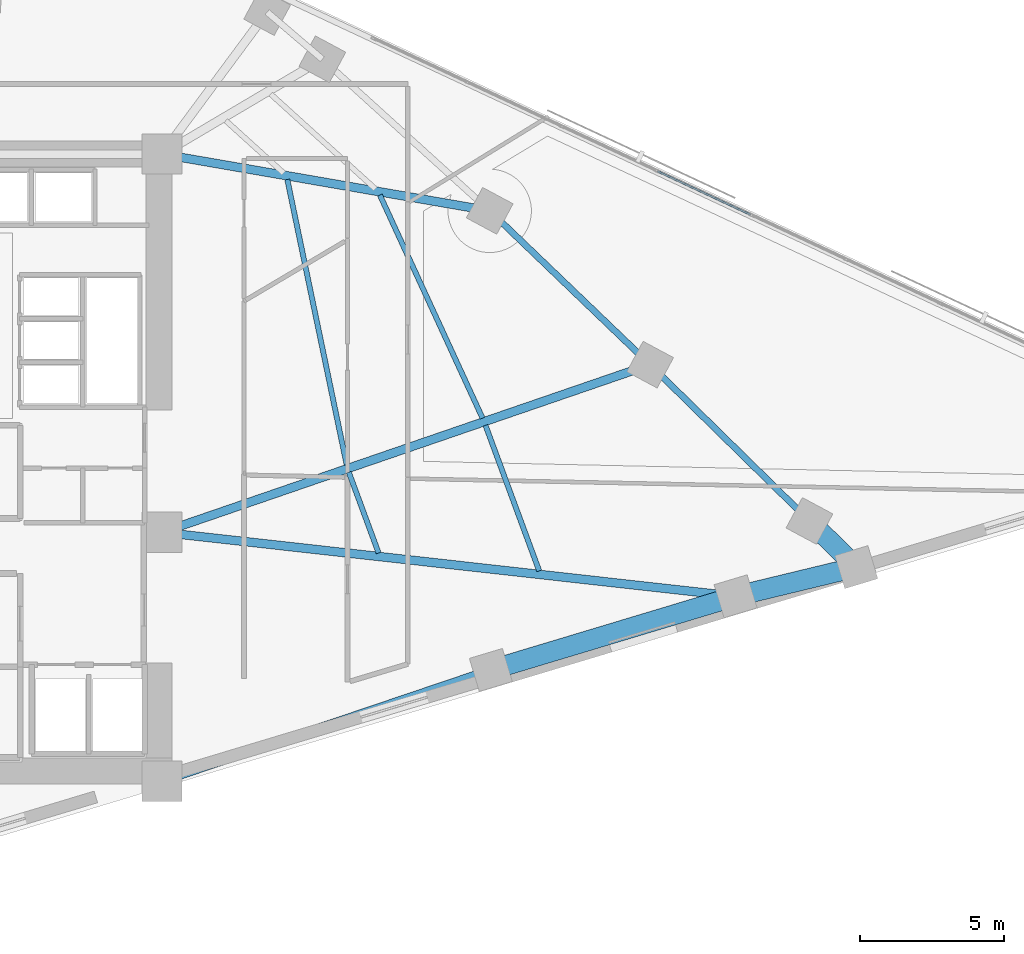
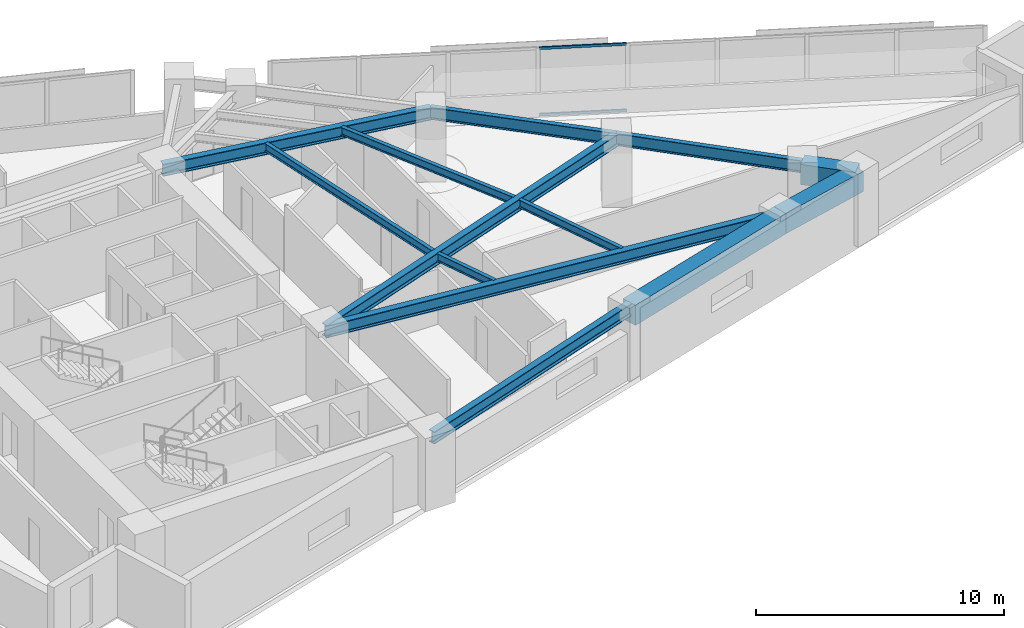
# One storey, part 3 of 16: 13 beams, 2 members, 1 element without a shape of its own.
"""IFC4 building model written with IfcOpenShell, lengths in metres."""

from ifc_helpers import new_model, si_unit, direction, frame, origin, origin_2d, place, context, subcontext, project, spatial, rectangle, hollow_rectangle, i_section, extrude, material, material_profile, profile_set, type_object, element, aggregate, save


model = new_model("IFC4")

# Units and contexts
model_context = context("Model", 3, precision=1e-05, world=origin(), true_north=direction((0.0, 1.0)))
body_context = subcontext(model_context, "Body", "Model", "MODEL_VIEW")
ifc_project = project(units=[si_unit("LENGTHUNIT", "METRE"), si_unit("AREAUNIT", "SQUARE_METRE"), si_unit("VOLUMEUNIT", "CUBIC_METRE"), si_unit("PLANEANGLEUNIT", "RADIAN"), si_unit("MASSUNIT", "GRAM", prefix="KILO")], contexts=[model_context])

# Site, building, storey
site_placement = place(None, origin())
site = spatial("IfcSite", under=ifc_project, at=site_placement, CompositionType="ELEMENT")
building_placement = place(site_placement, origin())
building = spatial("IfcBuilding", under=site, at=building_placement, Name="Narakoshi Arena Tower", CompositionType="ELEMENT")
storey_placement = place(building_placement, frame((0.0, 0.0, 153.89990234375)))
storey = spatial("IfcBuildingStorey", under=building, at=storey_placement, Name="L41", CompositionType="ELEMENT", Elevation=153.89990234375)

# Beams
ifc_material_1 = material(Name="Concrete C60/75", Category="concrete")
ifc_material_profile_1 = material_profile(ifc_material_1, rectangle(XDim=0.699951171875, YDim=1.0, at=origin_2d()), Name="RCB700x1000")
ifc_profile_set_1 = profile_set([ifc_material_profile_1], Name="Concrete C60/75")
beam_type_1 = type_object("IfcBeamType", Name="BM-CPL-1000", PredefinedType="BEAM", material=ifc_profile_set_1)
beam_1_placement = place(storey_placement, frame((96.984619140625, 38.565185546875, 2.840087890625), z_axis=(0.957568042752, 0.288207292585, 0.0), x_axis=(-0.288207292585, 0.957568042752, 0.0)))
element("IfcBeam", 1, at=beam_1_placement, inside=storey, type_object=beam_type_1, Name="L41 Perimeter Edge Girder 01", PredefinedType="BEAM", context=body_context, shape_type="SweptSolid", body=[
    extrude(rectangle(XDim=0.699951171875, YDim=1.0, at=origin_2d()), origin(), (0.0, 0.0, 1.0), 8.885986328125),
])
beam_2_placement = place(storey_placement, frame((105.49365234375, 41.126220703125, 2.840087890625), z_axis=(0.97211420724, 0.234507927545, 0.0), x_axis=(-0.234507927545, 0.97211420724, 0.0)))
element("IfcBeam", 2, at=beam_2_placement, inside=storey, type_object=beam_type_1, Name="L41 Perimeter Edge Girder 02", PredefinedType="BEAM", context=body_context, shape_type="SweptSolid", body=[
    extrude(rectangle(XDim=0.699951171875, YDim=1.0, at=origin_2d()), origin(), (0.0, 0.0, 1.0), 4.3193359375),
])
beam_3_placement = place(storey_placement, frame((109.692626953125, 42.13916015625, 2.840087890625), z_axis=(-0.71252416991, 0.701647566299, 0.0), x_axis=(-0.701647566299, -0.71252416991, 0.0)))
element("IfcBeam", 3, at=beam_3_placement, inside=storey, type_object=beam_type_1, Name="L41 Perimeter Edge Girder 03", PredefinedType="BEAM", context=body_context, shape_type="SweptSolid", body=[
    extrude(rectangle(XDim=0.699951171875, YDim=1.0, at=origin_2d()), origin(), (0.0, 0.0, 1.0), 2.28955078125),
])
ifc_material_2 = material(Name="Structural steel S355J2", Category="steel")
ifc_material_profile_2 = material_profile(ifc_material_2, i_section(OverallWidth=0.219970703125, OverallDepth=0.60009765625, WebThickness=0.011962890625, FlangeThickness=0.01904296875, FilletRadius=0.02392578125, at=origin_2d()), Name="IPE600")
ifc_profile_set_2 = profile_set([ifc_material_profile_2], Name="Structural steel S355J2")
beam_type_2 = type_object("IfcBeamType", Name="BM-EDGE-600", PredefinedType="BEAM", material=ifc_profile_set_2)
beam_4_placement = place(storey_placement, frame((108.061279296875, 43.74560546875, 3.0400390625), z_axis=(-0.713870487965, 0.700277749477, 0.0), x_axis=(-0.700277749477, -0.713870487965, 0.0)))
element("IfcBeam", 4, at=beam_4_placement, inside=storey, type_object=beam_type_2, Name="L41 Perimeter Edge Girder 04", PredefinedType="BEAM", context=body_context, shape_type="SweptSolid", body=[
    extrude(i_section(OverallWidth=0.219970703125, OverallDepth=0.60009765625, WebThickness=0.011962890625, FlangeThickness=0.01904296875, FilletRadius=0.02392578125, at=origin_2d()), origin(), (0.0, 0.0, 1.0), 7.75927734375),
])
beam_5_placement = place(storey_placement, frame((102.522216796875, 49.17919921875, 3.0400390625), z_axis=(-0.721767886663, 0.692135187504, 0.0), x_axis=(-0.692135187504, -0.721767886663, 0.0)))
element("IfcBeam", 5, at=beam_5_placement, inside=storey, type_object=beam_type_2, Name="L41 Perimeter Edge Girder 05", PredefinedType="BEAM", context=body_context, shape_type="SweptSolid", body=[
    extrude(i_section(OverallWidth=0.219970703125, OverallDepth=0.60009765625, WebThickness=0.011962890625, FlangeThickness=0.01904296875, FilletRadius=0.02392578125, at=origin_2d()), origin(), (0.0, 0.0, 1.0), 7.72802734375),
])
ifc_material_profile_3 = material_profile(ifc_material_2, i_section(OverallWidth=0.300048828125, OverallDepth=0.60009765625, WebThickness=0.015380859375, FlangeThickness=0.030029296875, FilletRadius=0.027099609375, at=origin_2d()), Name="HE600B")
ifc_profile_set_3 = profile_set([ifc_material_profile_3], Name="Structural steel S355J2")
beam_type_3 = type_object("IfcBeamType", Name="BM-PRI-600", PredefinedType="BEAM", material=ifc_profile_set_3)
beam_6_placement = place(storey_placement, frame((85.550048828125, 34.699951171875, 3.0400390625), z_axis=(0.947339879376, 0.32022984393, 0.0), x_axis=(-0.32022984393, 0.947339879376, 0.0)))
element("IfcBeam", 6, at=beam_6_placement, inside=storey, type_object=beam_type_3, Name="L41 Radial Primary Floor Girder 01", PredefinedType="BEAM", context=body_context, shape_type="SweptSolid", body=[
    extrude(i_section(OverallWidth=0.300048828125, OverallDepth=0.60009765625, WebThickness=0.015380859375, FlangeThickness=0.030029296875, FilletRadius=0.027099609375, at=origin_2d()), origin(), (0.0, 0.0, 1.0), 12.070068359375),
])
beam_7_placement = place(storey_placement, frame((85.550048828125, 43.35009765625, 3.0400390625), z_axis=(0.99384033484, -0.110821427733, 0.0), x_axis=(0.110821427733, 0.99384033484, 0.0)))
element("IfcBeam", 7, at=beam_7_placement, inside=storey, type_object=beam_type_3, Name="L41 Radial Primary Floor Girder 02", PredefinedType="BEAM", context=body_context, shape_type="SweptSolid", body=[
    extrude(i_section(OverallWidth=0.300048828125, OverallDepth=0.60009765625, WebThickness=0.015380859375, FlangeThickness=0.030029296875, FilletRadius=0.027099609375, at=origin_2d()), origin(), (0.0, 0.0, 1.0), 20.067138671875),
])
beam_8_placement = place(storey_placement, frame((85.550048828125, 43.35009765625, 3.0400390625), z_axis=(0.945773611909, 0.324826530653, 0.0), x_axis=(-0.324826530653, 0.945773611909, 0.0)))
element("IfcBeam", 8, at=beam_8_placement, inside=storey, type_object=beam_type_3, Name="L41 Radial Primary Floor Girder 05", PredefinedType="BEAM", context=body_context, shape_type="SweptSolid", body=[
    extrude(i_section(OverallWidth=0.300048828125, OverallDepth=0.60009765625, WebThickness=0.015380859375, FlangeThickness=0.030029296875, FilletRadius=0.027099609375, at=origin_2d()), origin(), (0.0, 0.0, 1.0), 17.9453125),
])
beam_9_placement = place(storey_placement, frame((85.550048828125, 56.5, 3.0400390625), z_axis=(0.985352893735, -0.170527636492, 0.0), x_axis=(0.170527636492, 0.985352893735, 0.0)))
element("IfcBeam", 9, at=beam_9_placement, inside=storey, type_object=beam_type_3, Name="L41 Radial Primary Floor Girder 06", PredefinedType="BEAM", context=body_context, shape_type="SweptSolid", body=[
    extrude(i_section(OverallWidth=0.300048828125, OverallDepth=0.60009765625, WebThickness=0.015380859375, FlangeThickness=0.030029296875, FilletRadius=0.027099609375, at=origin_2d()), origin(), (0.0, 0.0, 1.0), 11.563720703125),
])
ifc_material_profile_4 = material_profile(ifc_material_2, i_section(OverallWidth=0.179931640625, OverallDepth=0.39990234375, WebThickness=0.008544921875, FlangeThickness=0.013427734375, FilletRadius=0.02099609375, at=origin_2d()), Name="IPE400")
ifc_profile_set_4 = profile_set([ifc_material_profile_4], Name="Structural steel S355J2")
beam_type_4 = type_object("IfcBeamType", Name="BM-SEC-400", PredefinedType="JOIST", material=ifc_profile_set_4)
beam_10_placement = place(storey_placement, frame((93.081787109375, 42.631591796875, 3.14013671875), z_axis=(-0.34615532378, 0.938177217704, 0.0), x_axis=(-0.938177217704, -0.34615532378, 0.0)))
element("IfcBeam", 10, at=beam_10_placement, inside=storey, type_object=beam_type_4, Name="L41 Composite Secondary Floor Joist 01", PredefinedType="JOIST", context=body_context, shape_type="SweptSolid", body=[
    extrude(i_section(OverallWidth=0.179931640625, OverallDepth=0.39990234375, WebThickness=0.008544921875, FlangeThickness=0.013427734375, FilletRadius=0.02099609375, at=origin_2d()), origin(), (0.0, 0.0, 1.0), 2.991943359375),
])
beam_11_placement = place(storey_placement, frame((98.666015625, 42.0087890625, 3.14013671875), z_axis=(-0.346149857455, 0.938179234573, 0.0), x_axis=(-0.938179234573, -0.346149857455, 0.0)))
element("IfcBeam", 11, at=beam_11_placement, inside=storey, type_object=beam_type_4, Name="L41 Composite Secondary Floor Joist 02", PredefinedType="JOIST", context=body_context, shape_type="SweptSolid", body=[
    extrude(i_section(OverallWidth=0.179931640625, OverallDepth=0.39990234375, WebThickness=0.008544921875, FlangeThickness=0.013427734375, FilletRadius=0.02099609375, at=origin_2d()), origin(), (0.0, 0.0, 1.0), 5.3955078125),
])
beam_12_placement = place(storey_placement, frame((91.971923828125, 45.697265625, 3.14013671875), z_axis=(-0.20372238745, 0.979028696644, 0.0), x_axis=(-0.979028696644, -0.20372238745, 0.0)))
element("IfcBeam", 12, at=beam_12_placement, inside=storey, type_object=beam_type_4, Name="L41 Composite Secondary Floor Joist 03", PredefinedType="JOIST", context=body_context, shape_type="SweptSolid", body=[
    extrude(i_section(OverallWidth=0.179931640625, OverallDepth=0.39990234375, WebThickness=0.008544921875, FlangeThickness=0.013427734375, FilletRadius=0.02099609375, at=origin_2d()), origin(), (0.0, 0.0, 1.0), 10.133544921875),
])
beam_13_placement = place(storey_placement, frame((96.6953125, 47.320068359375, 3.14013671875), z_axis=(-0.41799340635, 0.908450060404, 0.0), x_axis=(-0.908450060404, -0.41799340635, 0.0)))
element("IfcBeam", 13, at=beam_13_placement, inside=storey, type_object=beam_type_4, Name="L41 Composite Secondary Floor Joist 04", PredefinedType="JOIST", context=body_context, shape_type="SweptSolid", body=[
    extrude(i_section(OverallWidth=0.179931640625, OverallDepth=0.39990234375, WebThickness=0.008544921875, FlangeThickness=0.013427734375, FilletRadius=0.02099609375, at=origin_2d()), origin(), (0.0, 0.0, 1.0), 8.537353515625),
])

# Curtain wall, members
ifc_material_3 = material(Name="Anodised bronze aluminium 6063-T6", Category="aluminium")
curtain_wall_type = type_object("IfcCurtainWallType", Name="CW-HYP-MID", PredefinedType="NOTDEFINED", material=ifc_material_3)
curtain_wall_placement = place(storey_placement, origin())
curtain_wall = element("IfcCurtainWall", 14, at=curtain_wall_placement, inside=storey, type_object=curtain_wall_type, Name="L41 Folded Hypotenuse Curtain Wall 1-1", PredefinedType="NOTDEFINED")
ifc_material_profile_5 = material_profile(ifc_material_3, hollow_rectangle(XDim=0.06494140625, YDim=0.1298828125, WallThickness=0.00390625, OuterFilletRadius=0.0048828125, at=origin_2d()), Name="TRN130x65x4")
ifc_profile_set_5 = profile_set([ifc_material_profile_5], Name="Anodised bronze aluminium 6063-T6")
member_type = type_object("IfcMemberType", Name="MEM-TRN-130", PredefinedType="USERDEFINED", material=ifc_profile_set_5)
member_1_placement = place(storey_placement, frame((106.008056640625, 54.39404296875, 0.03271484375), z_axis=(-0.905863892755, 0.42356889381, 0.0), x_axis=(-0.42356889381, -0.905863892755, 0.0)))
member_1 = element("IfcMember", 15, at=member_1_placement, type_object=member_type, Name="CW-02 transom 5.1", ObjectType="TRANSOM", PredefinedType="USERDEFINED", context=body_context, shape_type="SweptSolid", body=[
    extrude(hollow_rectangle(XDim=0.06494140625, YDim=0.1298828125, WallThickness=0.00390625, OuterFilletRadius=0.0048828125, at=origin_2d()), origin(), (0.0, 0.0, 1.0), 3.55859375),
])
member_2_placement = place(storey_placement, frame((106.008056640625, 54.39404296875, 3.3076171875), z_axis=(-0.905863892755, 0.42356889381, 0.0), x_axis=(-0.42356889381, -0.905863892755, 0.0)))
member_2 = element("IfcMember", 16, at=member_2_placement, type_object=member_type, Name="CW-02 transom 5.2", ObjectType="TRANSOM", PredefinedType="USERDEFINED", context=body_context, shape_type="SweptSolid", body=[
    extrude(hollow_rectangle(XDim=0.06494140625, YDim=0.1298828125, WallThickness=0.00390625, OuterFilletRadius=0.0048828125, at=origin_2d()), origin(), (0.0, 0.0, 1.0), 3.55859375),
])
aggregate(curtain_wall, [member_1, member_2])

save(model, "model.ifc")
